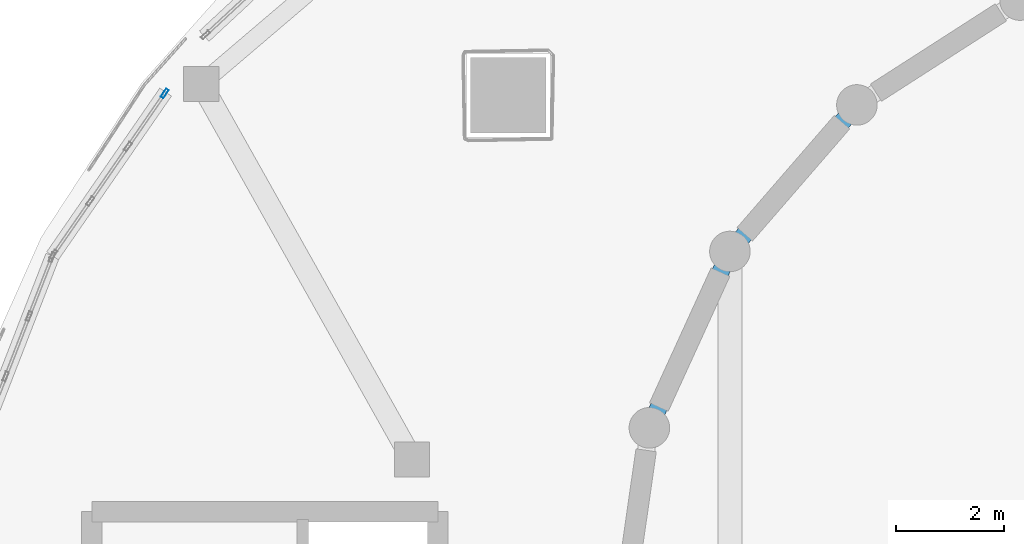
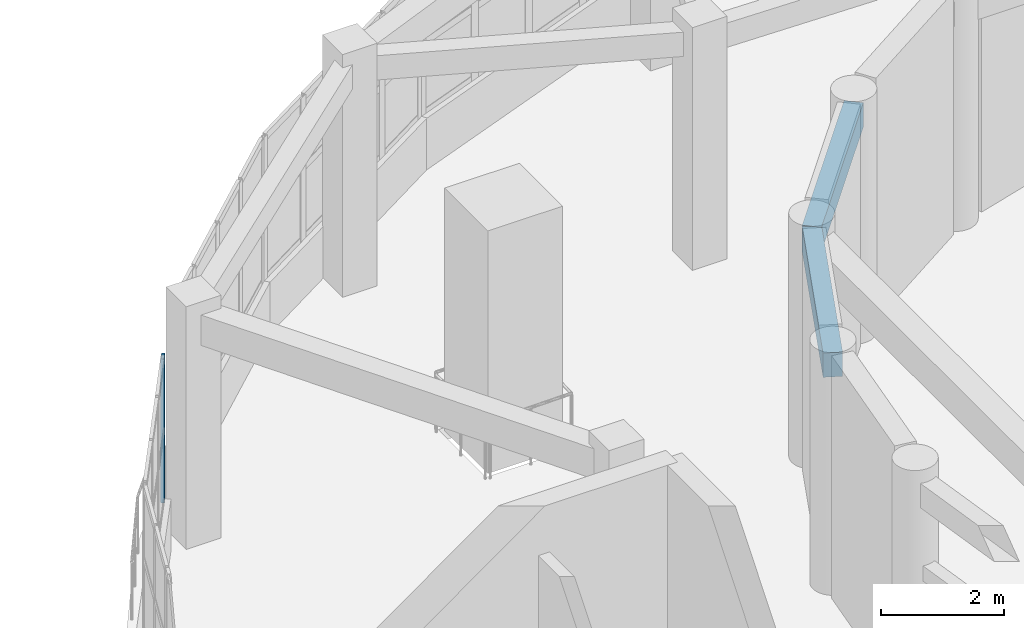
# One storey, part 49 of 105: 2 beams, 1 member, 1 element without a shape of its own.
"""IFC4 building model written with IfcOpenShell, lengths in metres."""

from ifc_helpers import new_model, si_unit, direction, frame, origin, origin_2d, place, context, subcontext, project, spatial, rectangle, hollow_rectangle, extrude, material, layer, layer_set, material_profile, profile_set, type_object, element, aggregate, save


model = new_model("IFC4")

# Units and contexts
model_context = context("Model", 3, precision=1e-05, world=origin(), true_north=direction((0.0, 1.0)))
body_context = subcontext(model_context, "Body", "Model", "MODEL_VIEW")
ifc_project = project(units=[si_unit("LENGTHUNIT", "METRE"), si_unit("AREAUNIT", "SQUARE_METRE"), si_unit("VOLUMEUNIT", "CUBIC_METRE"), si_unit("PLANEANGLEUNIT", "RADIAN"), si_unit("MASSUNIT", "GRAM", prefix="KILO")], contexts=[model_context])

# Site, building, storey
site_placement = place(None, origin())
site = spatial("IfcSite", under=ifc_project, at=site_placement, CompositionType="ELEMENT")
building_placement = place(site_placement, origin())
building = spatial("IfcBuilding", under=site, at=building_placement, Name="Pelvatis Terrace Science Centre", CompositionType="ELEMENT")
storey_placement = place(building_placement, frame((0.0, 0.0, 10.199951171875)))
storey = spatial("IfcBuildingStorey", under=building, at=storey_placement, Name="L02", CompositionType="ELEMENT", Elevation=10.199951171875)

# Beams
ifc_material_1 = material(Name="Concrete C35/45", Category="concrete")
ifc_material_profile_1 = material_profile(ifc_material_1, rectangle(XDim=0.320068359375, YDim=0.47998046875, at=origin_2d()), Name="RC-BM 320x480")
ifc_profile_set_1 = profile_set([ifc_material_profile_1], Name="Concrete C35/45")
beam_type = type_object("IfcBeamType", Name="BM-RC-320x480", PredefinedType="BEAM", material=ifc_profile_set_1)
beam_1_placement = place(storey_placement, frame((100.94873046875, 95.322509765625, 4.300048828125), z_axis=(-0.654863153819, -0.755747477515, 0.0), x_axis=(0.755747477515, -0.654863153819, 0.0)))
element("IfcBeam", 1, at=beam_1_placement, inside=storey, type_object=beam_type, Name="Beam BM-L02-2858", PredefinedType="BEAM", context=body_context, shape_type="SweptSolid", body=[
    extrude(rectangle(XDim=0.320068359375, YDim=0.47998046875, at=origin_2d()), origin(), (0.0, 0.0, 1.0), 3.58642578125),
])
beam_2_placement = place(storey_placement, frame((98.60009765625, 92.612060546875, 4.300048828125), z_axis=(-0.41540256811, -0.909637678643, 0.0), x_axis=(0.909637678643, -0.41540256811, 0.0)))
element("IfcBeam", 2, at=beam_2_placement, inside=storey, type_object=beam_type, Name="Beam BM-L02-2859", PredefinedType="BEAM", context=body_context, shape_type="SweptSolid", body=[
    extrude(rectangle(XDim=0.320068359375, YDim=0.47998046875, at=origin_2d()), origin(), (0.0, 0.0, 1.0), 3.586181640625),
])

# Curtain wall, member
ifc_material_2 = material(Name="Bronze-anodised aluminium and laminated glass", Category="aluminium")
ifc_layer = layer(ifc_material_2, 0.179931640625)
ifc_layer_set = layer_set([ifc_layer], Name="Bronze-anodised aluminium and laminated glass")
curtain_wall_type = type_object("IfcCurtainWallType", Name="CW-RIBBON-A", PredefinedType="NOTDEFINED", material=ifc_layer_set)
curtain_wall_placement = place(storey_placement, origin())
curtain_wall = element("IfcCurtainWall", 3, at=curtain_wall_placement, inside=storey, type_object=curtain_wall_type, Name="Ribbon curtain wall CW-166 (L02)", PredefinedType="NOTDEFINED")
ifc_material_3 = material(Name="Bronze-anodised aluminium 6063-T6", Category="aluminium")
ifc_material_profile_2 = material_profile(ifc_material_3, hollow_rectangle(XDim=0.06005859375, YDim=0.179931640625, WallThickness=0.00390625, at=origin_2d()), Name="ALU-MUL 60x180")
ifc_profile_set_2 = profile_set([ifc_material_profile_2], Name="Bronze-anodised aluminium 6063-T6")
member_type = type_object("IfcMemberType", Name="CWM-60x180", PredefinedType="MULLION", material=ifc_profile_set_2)
member_placement = place(storey_placement, frame((88.144775390625, 95.533935546875, 1.02001953125), z_axis=(0.0, 0.0, 1.0), x_axis=(0.822890243448, -0.568200358358, 0.0)))
member = element("IfcMember", 4, at=member_placement, type_object=member_type, Name="CW-166 mullion 1", PredefinedType="MULLION", context=body_context, shape_type="SweptSolid", body=[
    extrude(hollow_rectangle(XDim=0.06005859375, YDim=0.179931640625, WallThickness=0.00390625, at=origin_2d()), origin(), (0.0, 0.0, 1.0), 2.840087890625),
])
aggregate(curtain_wall, [member])

save(model, "model.ifc")
